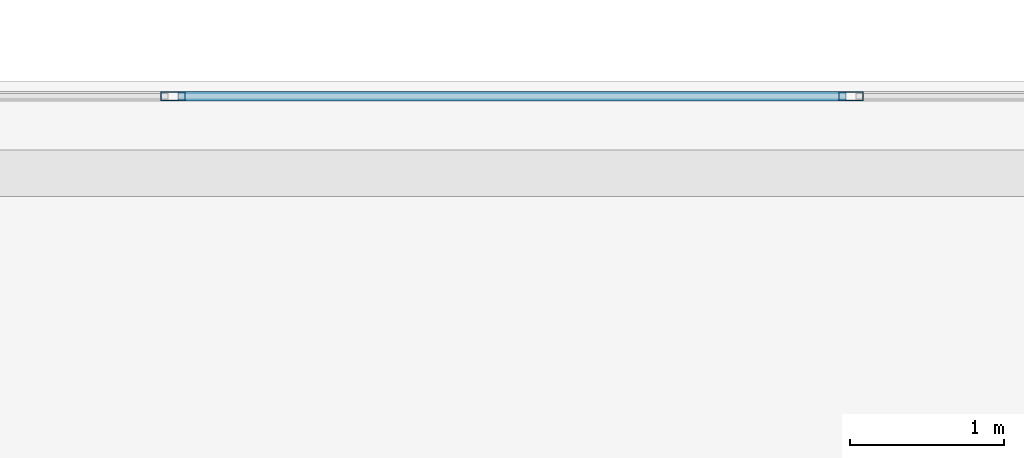
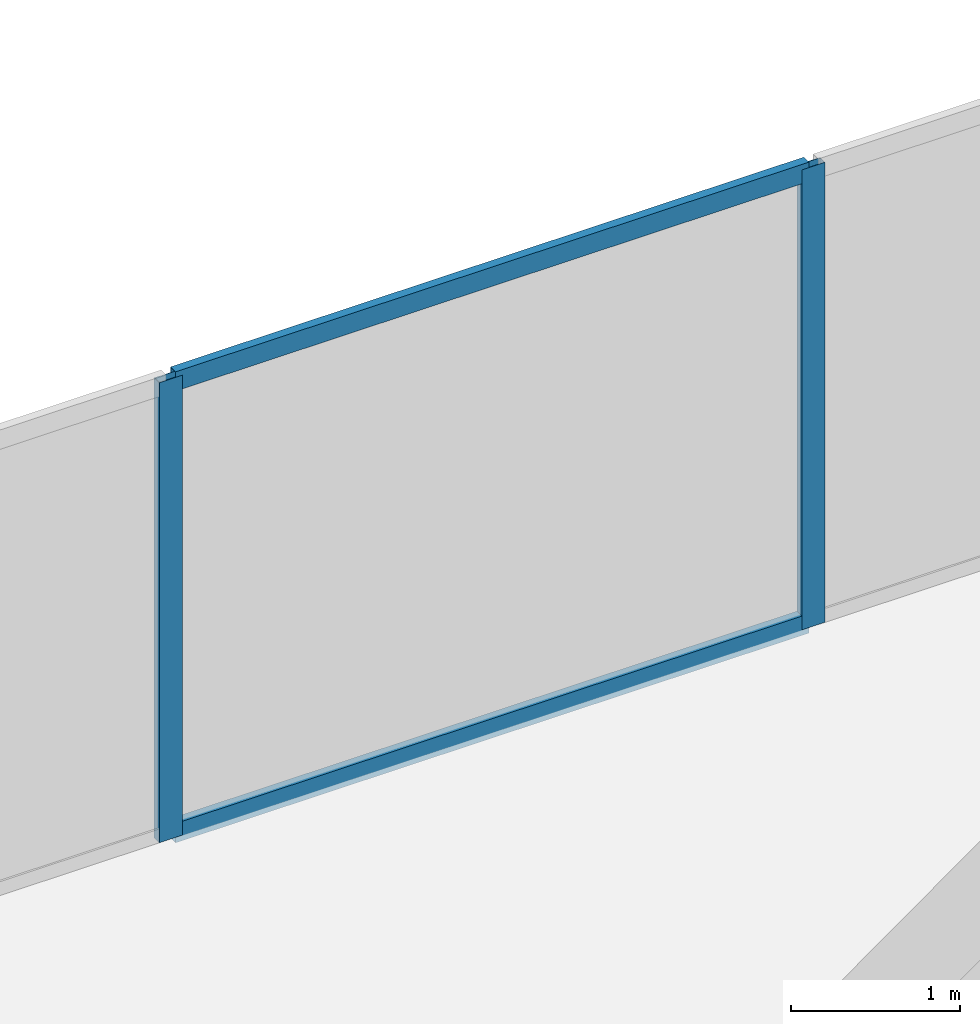
# One storey, part 22 of 34: 4 members, 1 element without a shape of its own.
"""IFC4 building model written with IfcOpenShell, lengths in metres."""

from ifc_helpers import new_model, si_unit, direction, frame, origin, origin_2d, place, context, subcontext, project, spatial, hollow_rectangle, extrude, material, layer, layer_set, material_profile, profile_set, type_object, element, aggregate, save


model = new_model("IFC4")

# Units and contexts
model_context = context("Model", 3, precision=1e-05, world=origin(), true_north=direction((0.0, 1.0)))
body_context = subcontext(model_context, "Body", "Model", "MODEL_VIEW")
ifc_project = project(units=[si_unit("LENGTHUNIT", "METRE"), si_unit("AREAUNIT", "SQUARE_METRE"), si_unit("VOLUMEUNIT", "CUBIC_METRE"), si_unit("PLANEANGLEUNIT", "RADIAN"), si_unit("MASSUNIT", "GRAM", prefix="KILO")], contexts=[model_context])

# Site, building, storey
site_placement = place(None, origin())
site = spatial("IfcSite", under=ifc_project, at=site_placement, CompositionType="ELEMENT")
building_placement = place(site_placement, origin())
building = spatial("IfcBuilding", under=site, at=building_placement, Name="Catumbela Crestline Tower", CompositionType="ELEMENT")
storey_placement = place(building_placement, frame((0.0, 0.0, 97.2)))
storey = spatial("IfcBuildingStorey", under=building, at=storey_placement, Name="L24", CompositionType="ELEMENT", Elevation=97.2)

# Curtain wall, members
ifc_material = material(Name="Aluminium alloy AW-6060-T66", Category="aluminium")
ifc_layer = layer(ifc_material, 0.18, Name="Aluminium alloy AW-6060-T66")
ifc_layer_set = layer_set([ifc_layer], Name="Aluminium alloy AW-6060-T66")
curtain_wall_type = type_object("IfcCurtainWallType", Name="CWU-Z2", PredefinedType="USERDEFINED", material=ifc_layer_set)
curtain_wall_placement = place(storey_placement, origin())
curtain_wall = element("IfcCurtainWall", 1, at=curtain_wall_placement, inside=storey, type_object=curtain_wall_type, Name="L24 Unitised Curtain Wall CW-L24-E7S1", ObjectType="UNITISED", PredefinedType="USERDEFINED")
ifc_material_profile_1 = material_profile(ifc_material, hollow_rectangle(XDim=0.06, YDim=0.16, WallThickness=0.004, at=origin_2d()), Name="ALU 160x60x4")
ifc_profile_set_1 = profile_set([ifc_material_profile_1], Name="Aluminium alloy AW-6060-T66")
member_type_1 = type_object("IfcMemberType", Name="MUL-160X60", PredefinedType="MULLION", material=ifc_profile_set_1)
member_1_placement = place(storey_placement, frame((29.9, 47.9, 0.0), z_axis=(0.0, 0.0, 1.0), x_axis=(0.0, -1.0, 0.0)))
member_1 = element("IfcMember", 2, at=member_1_placement, type_object=member_type_1, Name="CWU-Z2 mullion 5", PredefinedType="MULLION", context=body_context, shape_type="SweptSolid", body=[
    extrude(hollow_rectangle(XDim=0.06, YDim=0.16, WallThickness=0.004, at=origin_2d()), origin(), (0.0, 0.0, 1.0), 3.33),
])
member_2_placement = place(storey_placement, frame((25.5, 47.9, 0.0), z_axis=(0.0, 0.0, 1.0), x_axis=(0.0, -1.0, 0.0)))
member_2 = element("IfcMember", 3, at=member_2_placement, type_object=member_type_1, Name="CWU-Z2 mullion 6", PredefinedType="MULLION", context=body_context, shape_type="SweptSolid", body=[
    extrude(hollow_rectangle(XDim=0.06, YDim=0.16, WallThickness=0.004, at=origin_2d()), origin(), (0.0, 0.0, 1.0), 3.33),
])
ifc_material_profile_2 = material_profile(ifc_material, hollow_rectangle(XDim=0.06, YDim=0.14, WallThickness=0.004, at=origin_2d()), Name="ALU 140x60x4")
ifc_profile_set_2 = profile_set([ifc_material_profile_2], Name="Aluminium alloy AW-6060-T66")
member_type_2 = type_object("IfcMemberType", Name="TRN-140X60", PredefinedType="USERDEFINED", material=ifc_profile_set_2)
member_3_placement = place(storey_placement, frame((29.8675, 47.9, 0.03), z_axis=(-1.0, 0.0, 0.0), x_axis=(0.0, -1.0, 0.0)))
member_3 = element("IfcMember", 4, at=member_3_placement, type_object=member_type_2, Name="CWU-Z2 transom 5.1", ObjectType="TRANSOM", PredefinedType="USERDEFINED", context=body_context, shape_type="SweptSolid", body=[
    extrude(hollow_rectangle(XDim=0.06, YDim=0.14, WallThickness=0.004, at=origin_2d()), origin(), (0.0, 0.0, 1.0), 4.335),
])
member_4_placement = place(storey_placement, frame((29.8675, 47.9, 3.3), z_axis=(-1.0, 0.0, 0.0), x_axis=(0.0, -1.0, 0.0)))
member_4 = element("IfcMember", 5, at=member_4_placement, type_object=member_type_2, Name="CWU-Z2 transom 5.2", ObjectType="TRANSOM", PredefinedType="USERDEFINED", context=body_context, shape_type="SweptSolid", body=[
    extrude(hollow_rectangle(XDim=0.06, YDim=0.14, WallThickness=0.004, at=origin_2d()), origin(), (0.0, 0.0, 1.0), 4.335),
])
aggregate(curtain_wall, [member_1, member_2, member_3, member_4])

save(model, "model.ifc")
